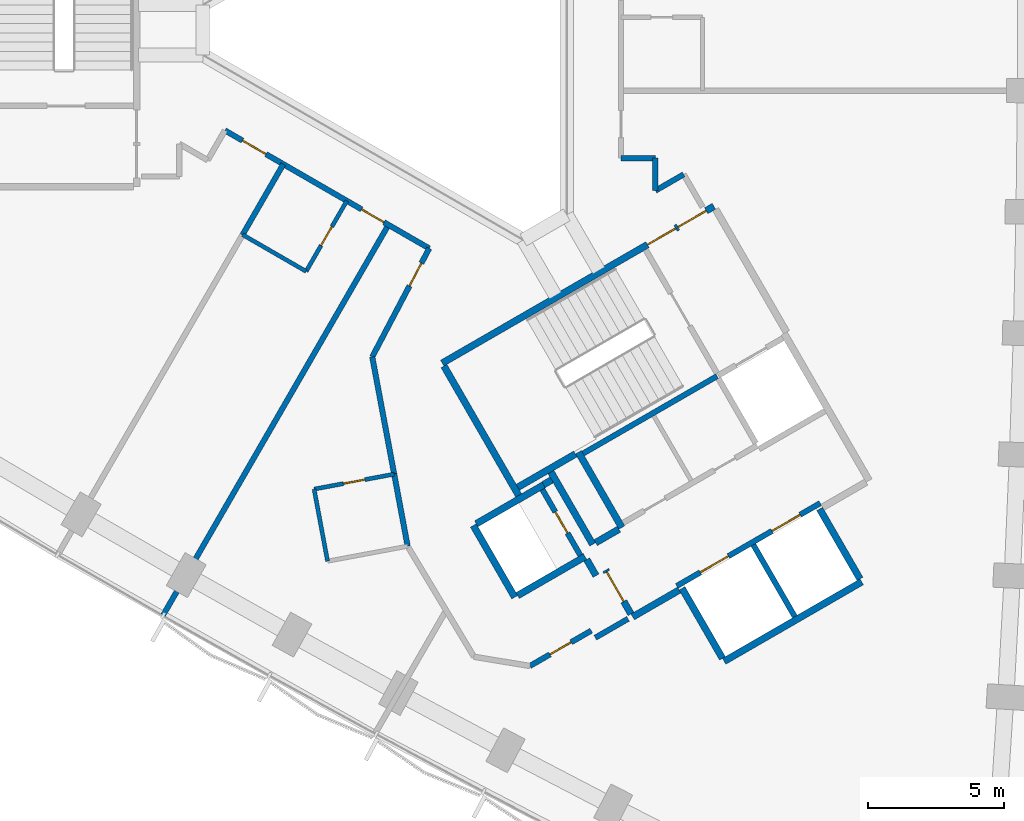
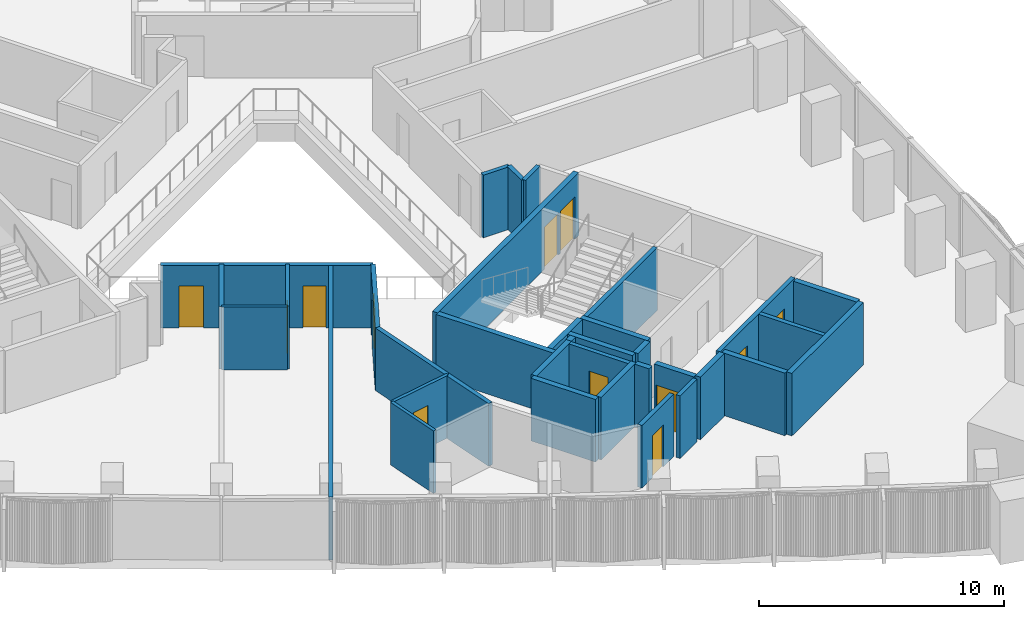
# One storey, part 8 of 15: 35 walls, 12 doors, 12 openings.
"""IFC4 building model written with IfcOpenShell, lengths in metres."""

import ifcopenshell
import ifcopenshell.guid

model = None  # the IFC model being written
_history = None  # IfcOwnerHistory: only IFC2X3 demands one
_inside = {}  # id of a spatial element -> (the spatial element, [elements in it])
_under = {}  # id of a project, library or spatial element -> (it, [spatial elements below it])
_declared = {}  # id of a project -> (the project, [libraries it declares])
_typed = {}  # id of a type object -> (the type object, [elements of that type])
_made_of = {}  # id of a material, layer set ... -> (it, [elements and type objects made of it])


def new_model(schema):
    """Start an empty IFC model of exactly this schema.

    Asked for "IFC4X3", IfcOpenShell would pick the latest addendum, in which some entities
    have other attributes; the version numbers below select the first issue.
    IFC2X3 requires an IfcOwnerHistory on every rooted entity: one is made here for all.
    """
    global model, _history
    if schema == "IFC4X3":
        model = ifcopenshell.file(schema_version=(4, 3, 0, 0))
    else:
        model = ifcopenshell.file(schema=schema)
    _inside.clear()
    _under.clear()
    _declared.clear()
    _typed.clear()
    _made_of.clear()
    _history = None
    if model.schema == "IFC2X3":
        org = make("IfcOrganization", Name="unknown")
        user = make(
            "IfcPersonAndOrganization",
            ThePerson=make("IfcPerson", FamilyName="unknown"),
            TheOrganization=org,
        )
        app = make(
            "IfcApplication",
            ApplicationDeveloper=org,
            Version="unknown",
            ApplicationFullName="unknown",
            ApplicationIdentifier="unknown",
        )
        _history = make(
            "IfcOwnerHistory",
            OwningUser=user,
            OwningApplication=app,
            ChangeAction="ADDED",
            CreationDate=0,
        )
    return model


def make(cls, **values):
    """One entity of the class cls with the attributes given. An attribute that is None is left unset."""
    return model.create_entity(
        cls, **{name: value for name, value in values.items() if value is not None}
    )


def rooted(cls, **values):
    """An entity with a GlobalId (a new one), such as an element, a storey or a relation."""
    return make(cls, GlobalId=ifcopenshell.guid.new(), OwnerHistory=_history, **values)


def si_unit(unit_type, name, prefix=None):
    """IfcSIUnit, for example si_unit("LENGTHUNIT", "METRE", prefix="MILLI")."""
    return make("IfcSIUnit", UnitType=unit_type, Prefix=prefix, Name=name)


def assignment(units):
    """IfcUnitAssignment: the units of a project."""
    return None if units is None else make("IfcUnitAssignment", Units=units)


def point(xyz):
    """IfcCartesianPoint."""
    return None if xyz is None else make("IfcCartesianPoint", Coordinates=xyz)


def direction(xyz):
    """IfcDirection."""
    return None if xyz is None else make("IfcDirection", DirectionRatios=xyz)


def frame(location, z_axis=None, x_axis=None):
    """IfcAxis2Placement3D, a coordinate frame: its origin and axes. An axis left out is left unset."""
    return make(
        "IfcAxis2Placement3D",
        Location=point(location),
        Axis=direction(z_axis),
        RefDirection=direction(x_axis),
    )


def frame_2d(location, x_axis=None):
    """IfcAxis2Placement2D, a coordinate frame in the plane: its origin and x axis."""
    return make(
        "IfcAxis2Placement2D", Location=point(location), RefDirection=direction(x_axis)
    )


def origin():
    """The frame at (0, 0, 0) with its axes left unset."""
    return frame((0.0, 0.0, 0.0))


def place(relative_to, where):
    """IfcLocalPlacement: puts the frame where relative to a parent placement (None: the world)."""
    return make(
        "IfcLocalPlacement", PlacementRelTo=relative_to, RelativePlacement=where
    )


def context(
    kind, dimensions, precision=None, world=None, true_north=None, identifier=None
):
    """IfcGeometricRepresentationContext, for example the 3D "Model" context."""
    return make(
        "IfcGeometricRepresentationContext",
        ContextIdentifier=identifier,
        ContextType=kind,
        CoordinateSpaceDimension=dimensions,
        Precision=precision,
        WorldCoordinateSystem=world,
        TrueNorth=true_north,
    )


def subcontext(parent, identifier, kind, view, scale=None):
    """IfcGeometricRepresentationSubContext, for example "Body" below "Model"."""
    return make(
        "IfcGeometricRepresentationSubContext",
        ContextIdentifier=identifier,
        ContextType=kind,
        ParentContext=parent,
        TargetScale=scale,
        TargetView=view,
    )


def project(units=None, contexts=None):
    """IfcProject with its units and contexts."""
    return rooted(
        "IfcProject",
        Name="project",
        RepresentationContexts=contexts,
        UnitsInContext=assignment(units),
    )


def spatial(cls, under=None, at=None, **own):
    """A site, building, storey or space (cls), placed at a placement, below another one or the project."""
    s = rooted(cls, ObjectPlacement=at, **own)
    if under is not None:
        _under.setdefault(under.id(), (under, []))[1].append(s)
    return s


def profile(cls, at=None, kind="AREA", **sizes):
    """A parametric profile (cls). Its sizes go by their IFC names, for example OverallWidth=200.0."""
    return make(cls, ProfileType=kind, Position=at, **sizes)


def rectangle(**sizes):
    """IfcRectangleProfileDef."""
    return profile("IfcRectangleProfileDef", **sizes)


def extrude(swept, where, along, depth):
    """IfcExtrudedAreaSolid: the profile swept, set in the frame where, extruded along a direction by depth."""
    return make(
        "IfcExtrudedAreaSolid",
        SweptArea=swept,
        Position=where,
        ExtrudedDirection=direction(along),
        Depth=depth,
    )


def shape(context_of_items, identifier, shape_type, items):
    """IfcShapeRepresentation: the items that make up one representation, for example the "Body"."""
    return make(
        "IfcShapeRepresentation",
        ContextOfItems=context_of_items,
        RepresentationIdentifier=identifier,
        RepresentationType=shape_type,
        Items=items,
    )


def material(Name=None, Category=None):
    """IfcMaterial."""
    return make("IfcMaterial", Name=Name, Category=Category)


def layer(
    of_material, thickness, ventilated=None, Name=None, Category=None, Priority=None
):
    """IfcMaterialLayer: one layer of a wall or slab, of a material (None: an air gap)."""
    return make(
        "IfcMaterialLayer",
        Material=of_material,
        LayerThickness=thickness,
        IsVentilated=ventilated,
        Name=Name,
        Category=Category,
        Priority=Priority,
    )


def layer_set(layers, Name=None):
    """IfcMaterialLayerSet."""
    return make("IfcMaterialLayerSet", MaterialLayers=layers, LayerSetName=Name)


def made_of(thing, what):
    """Note that an element or type object is made of a material, layer set ...; save() writes the relation."""
    if what is not None:
        _made_of.setdefault(what.id(), (what, []))[1].append(thing)
    return thing


def type_object(cls, material=None, **own):
    """A type object (cls), such as IfcWallType, which elements share."""
    return made_of(rooted(cls, **own), material)


def element(
    cls,
    number,
    at=None,
    inside=None,
    cuts=None,
    type_object=None,
    material=None,
    context=None,
    identifier="Body",
    shape_type=None,
    held_by="IfcProductDefinitionShape",
    body=None,
    shapes=None,
    **own,
):
    """One element of the class cls, such as IfcWall. Its Tag is "e" and its number.

    at: its placement. inside: the storey or other place that contains it. cuts: it is an
    opening in that element (IfcRelVoidsElement). A single representation is given by context,
    identifier, shape_type and body (its items); several are given by shapes. held_by: the class
    of the entity that holds the representations. save() writes the other relations.
    """
    e = rooted(cls, Tag="e%d" % number, ObjectPlacement=at, **own)
    if body is not None:
        shapes = [shape(context, identifier, shape_type, body)]
    if shapes is not None:
        e.Representation = make(held_by, Representations=shapes)
    if inside is not None:
        _inside.setdefault(inside.id(), (inside, []))[1].append(e)
    if cuts is not None:
        rooted(
            "IfcRelVoidsElement", RelatingBuildingElement=cuts, RelatedOpeningElement=e
        )
    if type_object is not None:
        _typed.setdefault(type_object.id(), (type_object, []))[1].append(e)
    return made_of(e, material)


def fill(opening, filler):
    """IfcRelFillsElement: the door or window that sits in an opening."""
    return rooted(
        "IfcRelFillsElement",
        RelatingOpeningElement=opening,
        RelatedBuildingElement=filler,
    )


def aggregate(whole, parts):
    """IfcRelAggregates: a whole, such as a stair, and the parts it consists of."""
    return rooted("IfcRelAggregates", RelatingObject=whole, RelatedObjects=parts)


def save(model, path):
    """Write the relations noted so far, then the file.

    IfcRelAggregates (storeys below a building ...), IfcRelContainedInSpatialStructure (elements
    in a storey), IfcRelDefinesByType, IfcRelAssociatesMaterial and IfcRelDeclares: one each for
    every whole, place, type object, material and project.
    """
    for whole, parts in _under.values():
        aggregate(whole, parts)
    for where, things in _inside.values():
        rooted(
            "IfcRelContainedInSpatialStructure",
            RelatedElements=things,
            RelatingStructure=where,
        )
    for kind, things in _typed.values():
        rooted("IfcRelDefinesByType", RelatedObjects=things, RelatingType=kind)
    for what, things in _made_of.values():
        rooted("IfcRelAssociatesMaterial", RelatedObjects=things, RelatingMaterial=what)
    for by, libraries in _declared.values():
        rooted("IfcRelDeclares", RelatingContext=by, RelatedDefinitions=libraries)
    model.write(path)


model = new_model("IFC4")

# Units and contexts
model_context = context("Model", 3, precision=1e-05, world=origin(), true_north=direction((0.0, 1.0)))
body_context = subcontext(model_context, "Body", "Model", "MODEL_VIEW")
ifc_project = project(units=[si_unit("LENGTHUNIT", "METRE"), si_unit("AREAUNIT", "SQUARE_METRE"), si_unit("VOLUMEUNIT", "CUBIC_METRE"), si_unit("PLANEANGLEUNIT", "RADIAN"), si_unit("MASSUNIT", "GRAM", prefix="KILO")], contexts=[model_context])

# Site, building, storey
site_placement = place(None, origin())
site = spatial("IfcSite", under=ifc_project, at=site_placement, CompositionType="ELEMENT")
building_placement = place(site_placement, origin())
building = spatial("IfcBuilding", under=site, at=building_placement, Name="Tamra Quay Hotel Tower", CompositionType="ELEMENT")
storey_placement = place(building_placement, frame((0.0, 0.0, 42.199951171875)))
storey = spatial("IfcBuildingStorey", under=building, at=storey_placement, Name="L08", CompositionType="ELEMENT", Elevation=42.199951171875)

# Wall, openings, doors
ifc_material_1 = material(Name="Concrete M70", Category="concrete")
ifc_layer_1 = layer(ifc_material_1, 0.199951171875)
ifc_layer_set_1 = layer_set([ifc_layer_1], Name="Concrete M70 core wall 200")
wall_type_1 = type_object("IfcWallType", Name="Concrete M70 core wall 200", PredefinedType="SHEAR", material=ifc_layer_set_1)
wall_1_placement = place(storey_placement, frame((9.052490234375, -20.479736328125, 0.0), z_axis=(0.0, 0.0, 1.0), x_axis=(0.866030299012, 0.499991521122, 0.0)))
wall_1 = element("IfcWall", 1, at=wall_1_placement, inside=storey, type_object=wall_type_1, Name="CW2", PredefinedType="SHEAR", context=body_context, shape_type="SweptSolid", body=[
    extrude(rectangle(XDim=6.10009765625, YDim=0.199951171875, at=frame_2d((3.050048828125, 0.0))), origin(), (0.0, 0.0, 1.0), 3.125),
])
opening_1_placement = place(wall_1_placement, frame((1.0, 0.0, 0.0)))
opening_1 = element("IfcOpeningElement", 2, at=opening_1_placement, cuts=wall_1, Name="Opening LD", PredefinedType="OPENING", context=body_context, shape_type="SweptSolid", body=[
    extrude(rectangle(XDim=1.199951171875, YDim=2.10009765625, at=frame_2d((0.60009765625, 1.050048828125))), frame((0.0, 0.10986328125, 0.0), z_axis=(0.0, -1.0, 0.0), x_axis=(1.0, 0.0, 0.0)), (0.0, 0.0, 1.0), 0.219970703125),
])
opening_2_placement = place(wall_1_placement, frame((4.05029296875, 0.0, 0.0)))
opening_2 = element("IfcOpeningElement", 3, at=opening_2_placement, cuts=wall_1, Name="Opening LD", PredefinedType="OPENING", context=body_context, shape_type="SweptSolid", body=[
    extrude(rectangle(XDim=1.199951171875, YDim=2.10009765625, at=frame_2d((0.60009765625, 1.050048828125))), frame((0.0, 0.10986328125, 0.0), z_axis=(0.0, -1.0, 0.0), x_axis=(1.0, 0.0, 0.0)), (0.0, 0.0, 1.0), 0.219970703125),
])
ifc_material_2 = material(Name="Landing door LD 1200 double door sliding")
door_type_1 = type_object("IfcDoorType", Name="Landing door LD 1200 double door sliding", OperationType="DOUBLE_DOOR_SLIDING", PredefinedType="DOOR", material=ifc_material_2)
door_1_placement = place(opening_1_placement, origin())
door_1 = element("IfcDoor", 4, at=door_1_placement, inside=storey, type_object=door_type_1, Name="LD", OperationType="DOUBLE_DOOR_SLIDING", OverallHeight=2.10009765625, OverallWidth=1.199951171875, PredefinedType="DOOR", context=body_context, shape_type="SweptSolid", body=[
    extrude(rectangle(XDim=1.199951171875, YDim=2.10009765625, at=frame_2d((0.60009765625, 1.050048828125))), frame((0.0, 0.02490234375, 0.0), z_axis=(0.0, -1.0, 0.0), x_axis=(1.0, 0.0, 0.0)), (0.0, 0.0, 1.0), 0.050048828125),
])
fill(opening_1, door_1)
door_2_placement = place(opening_2_placement, origin())
door_2 = element("IfcDoor", 5, at=door_2_placement, inside=storey, type_object=door_type_1, Name="LD", OperationType="DOUBLE_DOOR_SLIDING", OverallHeight=2.10009765625, OverallWidth=1.199951171875, PredefinedType="DOOR", context=body_context, shape_type="SweptSolid", body=[
    extrude(rectangle(XDim=1.199951171875, YDim=2.10009765625, at=frame_2d((0.60009765625, 1.050048828125))), frame((0.0, 0.02490234375, 0.0), z_axis=(0.0, -1.0, 0.0), x_axis=(1.0, 0.0, 0.0)), (0.0, 0.0, 1.0), 0.050048828125),
])
fill(opening_2, door_2)

# Walls
wall_2_placement = place(storey_placement, frame((10.537841796875, -12.751953125, 0.0), z_axis=(0.0, 0.0, 1.0), x_axis=(-0.866038630372, -0.499977090179, 0.0)))
element("IfcWall", 6, at=wall_2_placement, inside=storey, type_object=wall_type_1, Name="CW2", PredefinedType="SHEAR", context=body_context, shape_type="SweptSolid", body=[
    extrude(rectangle(XDim=5.698974609375, YDim=0.199951171875, at=frame_2d((2.849609375, 0.0))), origin(), (0.0, 0.0, 1.0), 3.125),
])
wall_3_placement = place(storey_placement, frame((11.87451171875, -18.967041015625, 0.0), z_axis=(0.0, 0.0, 1.0), x_axis=(0.49998131003, -0.866036194175, 0.0)))
element("IfcWall", 7, at=wall_3_placement, inside=storey, type_object=wall_type_1, Name="CW2", PredefinedType="SHEAR", context=body_context, shape_type="SweptSolid", body=[
    extrude(rectangle(XDim=3.0478515625, YDim=0.199951171875, at=frame_2d((1.52392578125, 0.0))), origin(), (0.0, 0.0, 1.0), 3.125),
])

# Wall, opening, door
wall_4_placement = place(storey_placement, frame((5.50341796875, -19.352294921875, 0.0), z_axis=(0.0, 0.0, 1.0), x_axis=(-0.499986818241, 0.866033014143, 0.0)))
wall_4 = element("IfcWall", 8, at=wall_4_placement, inside=storey, type_object=wall_type_1, Name="CW2", PredefinedType="SHEAR", context=body_context, shape_type="SweptSolid", body=[
    extrude(rectangle(XDim=2.7978515625, YDim=0.199951171875, at=frame_2d((1.39892578125, 0.0))), origin(), (0.0, 0.0, 1.0), 3.125),
])
opening_3_placement = place(wall_4_placement, frame((0.948974609375, 0.0, 0.0)))
opening_3 = element("IfcOpeningElement", 9, at=opening_3_placement, cuts=wall_4, Name="Opening D1", PredefinedType="OPENING", context=body_context, shape_type="SweptSolid", body=[
    extrude(rectangle(XDim=0.89990234375, YDim=2.10009765625, at=frame_2d((0.449951171875, 1.050048828125))), frame((0.0, 0.10986328125, 0.0), z_axis=(0.0, -1.0, 0.0), x_axis=(1.0, 0.0, 0.0)), (0.0, 0.0, 1.0), 0.219970703125),
])
ifc_material_3 = material(Name="Core door D1 900x2100 LH")
door_type_2 = type_object("IfcDoorType", Name="Core door D1 900x2100 LH", OperationType="NOTDEFINED", PredefinedType="DOOR", material=ifc_material_3)
door_3_placement = place(opening_3_placement, origin())
door_3 = element("IfcDoor", 10, at=door_3_placement, inside=storey, type_object=door_type_2, Name="D1", OperationType="SINGLE_SWING_LEFT", OverallHeight=2.10009765625, OverallWidth=0.89990234375, PredefinedType="DOOR", context=body_context, shape_type="SweptSolid", body=[
    extrude(rectangle(XDim=0.89990234375, YDim=2.10009765625, at=frame_2d((0.449951171875, 1.050048828125))), frame((0.0, 0.02490234375, 0.0), z_axis=(0.0, -1.0, 0.0), x_axis=(1.0, 0.0, 0.0)), (0.0, 0.0, 1.0), 0.050048828125),
])
fill(opening_3, door_3)

# Wall, openings, doors
ifc_layer_2 = layer(ifc_material_1, 0.25)
ifc_layer_set_2 = layer_set([ifc_layer_2], Name="Concrete M70 core wall 250")
wall_type_2 = type_object("IfcWallType", Name="Concrete M70 core wall 250", PredefinedType="SHEAR", material=ifc_layer_set_2)
wall_5_placement = place(storey_placement, frame((0.417236328125, -12.27294921875, 0.0), z_axis=(0.0, 0.0, 1.0), x_axis=(0.866021906294, 0.500006057782, 0.0)))
wall_5 = element("IfcWall", 11, at=wall_5_placement, inside=storey, type_object=wall_type_2, Name="CW1", PredefinedType="SHEAR", context=body_context, shape_type="SweptSolid", body=[
    extrude(rectangle(XDim=11.550048828125, YDim=0.25, at=frame_2d((5.77490234375, 0.0))), origin(), (0.0, 0.0, 1.0), 3.125),
])
opening_4_placement = place(wall_5_placement, frame((10.024658203125, 0.0, 0.0)))
opening_4 = element("IfcOpeningElement", 12, at=opening_4_placement, cuts=wall_5, Name="Opening FD1", PredefinedType="OPENING", context=body_context, shape_type="SweptSolid", body=[
    extrude(rectangle(XDim=1.199951171875, YDim=2.10009765625, at=frame_2d((0.60009765625, 1.050048828125))), frame((0.0, 0.135009765625, 0.0), z_axis=(0.0, -1.0, 0.0), x_axis=(1.0, 0.0, 0.0)), (0.0, 0.0, 1.0), 0.27001953125),
])
opening_5_placement = place(wall_5_placement, frame((8.724609375, 0.0, 0.0)))
opening_5 = element("IfcOpeningElement", 13, at=opening_5_placement, cuts=wall_5, Name="Opening FD1", PredefinedType="OPENING", context=body_context, shape_type="SweptSolid", body=[
    extrude(rectangle(XDim=1.199951171875, YDim=2.10009765625, at=frame_2d((0.60009765625, 1.050048828125))), frame((0.0, 0.135009765625, 0.0), z_axis=(0.0, -1.0, 0.0), x_axis=(1.0, 0.0, 0.0)), (0.0, 0.0, 1.0), 0.27001953125),
])
ifc_material_4 = material(Name="Core door FD1 1200x2100 LH")
door_type_3 = type_object("IfcDoorType", Name="Core door FD1 1200x2100 LH", OperationType="NOTDEFINED", PredefinedType="DOOR", material=ifc_material_4)
door_4_placement = place(opening_4_placement, origin())
door_4 = element("IfcDoor", 14, at=door_4_placement, inside=storey, type_object=door_type_3, Name="FD1", OperationType="SINGLE_SWING_LEFT", OverallHeight=2.10009765625, OverallWidth=1.199951171875, PredefinedType="DOOR", context=body_context, shape_type="SweptSolid", body=[
    extrude(rectangle(XDim=1.199951171875, YDim=2.10009765625, at=frame_2d((0.60009765625, 1.050048828125))), frame((0.0, 0.02490234375, 0.0), z_axis=(0.0, -1.0, 0.0), x_axis=(1.0, 0.0, 0.0)), (0.0, 0.0, 1.0), 0.050048828125),
])
fill(opening_4, door_4)
ifc_material_5 = material(Name="Core door FD1 1200x2100 RH")
door_type_4 = type_object("IfcDoorType", Name="Core door FD1 1200x2100 RH", OperationType="NOTDEFINED", PredefinedType="DOOR", material=ifc_material_5)
door_5_placement = place(opening_5_placement, origin())
door_5 = element("IfcDoor", 15, at=door_5_placement, inside=storey, type_object=door_type_4, Name="FD1", OperationType="SINGLE_SWING_RIGHT", OverallHeight=2.10009765625, OverallWidth=1.199951171875, PredefinedType="DOOR", context=body_context, shape_type="SweptSolid", body=[
    extrude(rectangle(XDim=1.199951171875, YDim=2.10009765625, at=frame_2d((0.60009765625, 1.050048828125))), frame((0.0, 0.02490234375, 0.0), z_axis=(0.0, -1.0, 0.0), x_axis=(1.0, 0.0, 0.0)), (0.0, 0.0, 1.0), 0.050048828125),
])
fill(opening_5, door_5)

# Walls
wall_6_placement = place(storey_placement, frame((15.86474609375, -20.328369140625, 0.0), z_axis=(0.0, 0.0, 1.0), x_axis=(-0.86602852612, -0.499994591916, 0.0)))
element("IfcWall", 16, at=wall_6_placement, inside=storey, type_object=wall_type_2, Name="CW1", PredefinedType="SHEAR", context=body_context, shape_type="SweptSolid", body=[
    extrude(rectangle(XDim=5.85009765625, YDim=0.25, at=frame_2d((2.925048828125, 0.0))), origin(), (0.0, 0.0, 1.0), 3.125),
])
wall_7_placement = place(storey_placement, frame((3.23486328125, -17.15283203125, 0.0), z_axis=(0.0, 0.0, 1.0), x_axis=(-0.500008851346, 0.866020293397, 0.0)))
element("IfcWall", 17, at=wall_7_placement, inside=storey, type_object=wall_type_2, Name="CW1", PredefinedType="SHEAR", context=body_context, shape_type="SweptSolid", body=[
    extrude(rectangle(XDim=5.509765625, YDim=0.25, at=frame_2d((2.7548828125, 0.0))), origin(), (0.0, 0.0, 1.0), 3.125),
])
wall_8_placement = place(storey_placement, frame((7.030517578125, -18.327392578125, 0.0), z_axis=(0.0, 0.0, 1.0), x_axis=(-0.499971222258, 0.866042017984, 0.0)))
element("IfcWall", 18, at=wall_8_placement, inside=storey, type_object=wall_type_2, Name="CW1", PredefinedType="SHEAR", context=body_context, shape_type="SweptSolid", body=[
    extrude(rectangle(XDim=3.199951171875, YDim=0.25, at=frame_2d((1.60009765625, 0.0))), origin(), (0.0, 0.0, 1.0), 3.125),
])
for number, where, z_axis, x_axis, name in (
    (19, (14.314697265625, -17.643798828125, 0.0), (0.0, 0.0, 1.0), (0.500023226632, -0.866011993467, 0.0), "CW1"),
    (20, (10.73583984375, -23.144775390625, 0.0), (0.0, 0.0, 1.0), (-0.500023226632, 0.866011993467, 0.0), "CW1"),
):
    element("IfcWall", number, at=place(storey_placement, frame(where, z_axis=z_axis, x_axis=x_axis)), inside=storey, type_object=wall_type_2, Name=name, PredefinedType="SHEAR", context=body_context, shape_type="SweptSolid", body=[
        extrude(rectangle(XDim=2.974365234375, YDim=0.25, at=frame_2d((1.4873046875, 0.0))), origin(), (0.0, 0.0, 1.0), 3.125),
    ])
wall_9_placement = place(storey_placement, frame((3.085205078125, -20.893798828125, 0.0), z_axis=(0.0, 0.0, 1.0), x_axis=(-0.499978833458, 0.866037623948, 0.0)))
element("IfcWall", 21, at=wall_9_placement, inside=storey, type_object=wall_type_2, Name="CW1", PredefinedType="SHEAR", context=body_context, shape_type="SweptSolid", body=[
    extrude(rectangle(XDim=3.050048828125, YDim=0.25, at=frame_2d((1.52490234375, 0.0))), origin(), (0.0, 0.0, 1.0), 3.125),
])
wall_10_placement = place(storey_placement, frame((1.6689453125, -18.189697265625, 0.0), z_axis=(0.0, 0.0, 1.0), x_axis=(0.866042235819, 0.499970844928, 0.0)))
element("IfcWall", 22, at=wall_10_placement, inside=storey, type_object=wall_type_2, Name="CW1", PredefinedType="SHEAR", context=body_context, shape_type="SweptSolid", body=[
    extrude(rectangle(XDim=2.864501953125, YDim=0.25, at=frame_2d((1.43212890625, 0.0))), origin(), (0.0, 0.0, 1.0), 3.125),
])
wall_11_placement = place(storey_placement, frame((5.6748046875, -19.39892578125, 0.0), z_axis=(0.0, 0.0, 1.0), x_axis=(-0.866026637627, -0.499997862916, 0.0)))
element("IfcWall", 23, at=wall_11_placement, inside=storey, type_object=wall_type_2, Name="CW1", PredefinedType="SHEAR", context=body_context, shape_type="SweptSolid", body=[
    extrude(rectangle(XDim=2.86474609375, YDim=0.25, at=frame_2d((1.432373046875, 0.0))), origin(), (0.0, 0.0, 1.0), 3.125),
])
wall_12_placement = place(storey_placement, frame((4.414306640625, -16.275634765625, 0.0), z_axis=(0.0, 0.0, 1.0), x_axis=(0.500003324108, -0.866023484601, 0.0)))
element("IfcWall", 24, at=wall_12_placement, inside=storey, type_object=wall_type_2, Name="CW1", PredefinedType="SHEAR", context=body_context, shape_type="SweptSolid", body=[
    extrude(rectangle(XDim=3.0849609375, YDim=0.25, at=frame_2d((1.54248046875, 0.0))), origin(), (0.0, 0.0, 1.0), 3.125),
])
wall_13_placement = place(storey_placement, frame((5.322021484375, -15.618896484375, 0.0), z_axis=(0.0, 0.0, 1.0), x_axis=(-0.866026229868, -0.499998569178, 0.0)))
element("IfcWall", 25, at=wall_13_placement, inside=storey, type_object=wall_type_2, Name="CW1", PredefinedType="SHEAR", context=body_context, shape_type="SweptSolid", body=[
    extrude(rectangle(XDim=2.44921875, YDim=0.25, at=frame_2d((1.224609375, 0.0))), origin(), (0.0, 0.0, 1.0), 3.125),
])
wall_14_placement = place(storey_placement, frame((9.139892578125, -20.63134765625, 0.0), z_axis=(0.0, 0.0, 1.0), x_axis=(-0.866043531843, -0.499968599967, 0.0)))
element("IfcWall", 26, at=wall_14_placement, inside=storey, type_object=wall_type_2, Name="CW1", PredefinedType="SHEAR", context=body_context, shape_type="SweptSolid", body=[
    extrude(rectangle(XDim=1.974853515625, YDim=0.25, at=frame_2d((0.9873046875, 0.0))), origin(), (0.0, 0.0, 1.0), 3.125),
])

# Wall, opening, door
wall_15_placement = place(storey_placement, frame((7.3671875, -21.51025390625, 0.0), z_axis=(0.0, 0.0, 1.0), x_axis=(-0.499983108224, 0.866035156036, 0.0)))
wall_15 = element("IfcWall", 27, at=wall_15_placement, inside=storey, type_object=wall_type_2, Name="CW1", PredefinedType="SHEAR", context=body_context, shape_type="SweptSolid", body=[
    extrude(rectangle(XDim=1.86474609375, YDim=0.25, at=frame_2d((0.932373046875, 0.0))), origin(), (0.0, 0.0, 1.0), 3.125),
])
opening_6_placement = place(wall_15_placement, frame((0.53466796875, 0.0, 0.0)))
opening_6 = element("IfcOpeningElement", 28, at=opening_6_placement, cuts=wall_15, Name="Opening FD3", PredefinedType="OPENING", context=body_context, shape_type="SweptSolid", body=[
    extrude(rectangle(XDim=1.25, YDim=2.10009765625, at=frame_2d((0.625, 1.050048828125))), frame((0.0, 0.135009765625, 0.0), z_axis=(0.0, -1.0, 0.0), x_axis=(1.0, 0.0, 0.0)), (0.0, 0.0, 1.0), 0.27001953125),
])
ifc_material_6 = material(Name="Core door FD3 1250x2100 LH")
door_type_5 = type_object("IfcDoorType", Name="Core door FD3 1250x2100 LH", OperationType="NOTDEFINED", PredefinedType="DOOR", material=ifc_material_6)
door_6_placement = place(opening_6_placement, origin())
door_6 = element("IfcDoor", 29, at=door_6_placement, inside=storey, type_object=door_type_5, Name="FD3", OperationType="SINGLE_SWING_LEFT", OverallHeight=2.10009765625, OverallWidth=1.25, PredefinedType="DOOR", context=body_context, shape_type="SweptSolid", body=[
    extrude(rectangle(XDim=1.25, YDim=2.10009765625, at=frame_2d((0.625, 1.050048828125))), frame((0.0, 0.02490234375, 0.0), z_axis=(0.0, -1.0, 0.0), x_axis=(1.0, 0.0, 0.0)), (0.0, 0.0, 1.0), 0.050048828125),
])
fill(opening_6, door_6)

# Walls
wall_16_placement = place(storey_placement, frame((6.0654296875, -18.884765625, 0.0), z_axis=(0.0, 0.0, 1.0), x_axis=(0.866017078145, 0.500014420154, 0.0)))
element("IfcWall", 30, at=wall_16_placement, inside=storey, type_object=wall_type_2, Name="CW1", PredefinedType="SHEAR", context=body_context, shape_type="SweptSolid", body=[
    extrude(rectangle(XDim=0.9892578125, YDim=0.25, at=frame_2d((0.49462890625, 0.0))), origin(), (0.0, 0.0, 1.0), 3.125),
])
wall_17_placement = place(storey_placement, frame((6.07958984375, -20.100341796875, 0.0), z_axis=(0.0, 0.0, 1.0), x_axis=(-0.500051773299, 0.865995510393, 0.0)))
element("IfcWall", 31, at=wall_17_placement, inside=storey, type_object=wall_type_2, Name="CW1", PredefinedType="SHEAR", context=body_context, shape_type="SweptSolid", body=[
    extrude(rectangle(XDim=0.6845703125, YDim=0.25, at=frame_2d((0.34228515625, 0.0))), origin(), (0.0, 0.0, 1.0), 3.125),
])
wall_18_placement = place(storey_placement, frame((4.144775390625, -16.748779296875, 0.0), z_axis=(0.0, 0.0, 1.0), x_axis=(0.866185586049, 0.49972245349, 0.0)))
element("IfcWall", 32, at=wall_18_placement, inside=storey, type_object=wall_type_2, Name="CW1", PredefinedType="SHEAR", context=body_context, shape_type="SweptSolid", body=[
    extrude(rectangle(XDim=0.344482421875, YDim=0.25, at=frame_2d((0.17236328125, 0.0))), origin(), (0.0, 0.0, 1.0), 3.125),
])

# Wall, openings, doors
ifc_material_7 = material(Name="Partition corridor wall")
ifc_layer_3 = layer(ifc_material_7, 0.199951171875)
ifc_layer_set_3 = layer_set([ifc_layer_3], Name="Partition corridor wall")
wall_type_3 = type_object("IfcWallType", Name="Partition corridor wall", PredefinedType="PARTITIONING", material=ifc_layer_set_3)
wall_19_placement = place(storey_placement, frame((-7.589111328125, -3.701904296875, 0.0), z_axis=(0.0, 0.0, 1.0), x_axis=(0.865995139556, -0.500052415518, 0.0)))
wall_19 = element("IfcWall", 33, at=wall_19_placement, inside=storey, type_object=wall_type_3, Name="W-C", PredefinedType="PARTITIONING", context=body_context, shape_type="SweptSolid", body=[
    extrude(rectangle(XDim=8.68896484375, YDim=0.199951171875, at=frame_2d((4.344482421875, 0.0))), origin(), (0.0, 0.0, 1.0), 3.125),
])
opening_7_placement = place(wall_19_placement, frame((0.748779296875, 0.0, 0.0)))
opening_7 = element("IfcOpeningElement", 34, at=opening_7_placement, cuts=wall_19, Name="Opening L08-D014", PredefinedType="OPENING", context=body_context, shape_type="SweptSolid", body=[
    extrude(rectangle(XDim=1.0, YDim=2.10009765625, at=frame_2d((0.5, 1.050048828125))), frame((0.0, 0.10986328125, 0.0), z_axis=(0.0, -1.0, 0.0), x_axis=(1.0, 0.0, 0.0)), (0.0, 0.0, 1.0), 0.219970703125),
])
opening_8_placement = place(wall_19_placement, frame((5.818603515625, 0.0, 0.0)))
opening_8 = element("IfcOpeningElement", 35, at=opening_8_placement, cuts=wall_19, Name="Opening L08-D015", PredefinedType="OPENING", context=body_context, shape_type="SweptSolid", body=[
    extrude(rectangle(XDim=0.949951171875, YDim=2.10009765625, at=frame_2d((0.47509765625, 1.050048828125))), frame((0.0, 0.10986328125, 0.0), z_axis=(0.0, -1.0, 0.0), x_axis=(1.0, 0.0, 0.0)), (0.0, 0.0, 1.0), 0.219970703125),
])
ifc_material_8 = material(Name="Door guest room 1000x2100")
door_type_6 = type_object("IfcDoorType", Name="Door guest room 1000x2100", OperationType="NOTDEFINED", PredefinedType="DOOR", material=ifc_material_8)
door_7_placement = place(opening_7_placement, frame((1.0, 0.0, 0.0), z_axis=(0.0, 0.0, 1.0), x_axis=(-1.0, 0.0, 0.0)))
door_7 = element("IfcDoor", 36, at=door_7_placement, inside=storey, type_object=door_type_6, Name="L08-D014", OperationType="SINGLE_SWING_LEFT", OverallHeight=2.10009765625, OverallWidth=1.0, PredefinedType="DOOR", context=body_context, shape_type="SweptSolid", body=[
    extrude(rectangle(XDim=1.0, YDim=2.10009765625, at=frame_2d((0.5, 1.050048828125))), frame((0.0, 0.02490234375, 0.0), z_axis=(0.0, -1.0, 0.0), x_axis=(1.0, 0.0, 0.0)), (0.0, 0.0, 1.0), 0.050048828125),
])
fill(opening_7, door_7)
ifc_material_9 = material(Name="Door guest room 950x2100")
door_type_7 = type_object("IfcDoorType", Name="Door guest room 950x2100", OperationType="NOTDEFINED", PredefinedType="DOOR", material=ifc_material_9)
door_8_placement = place(opening_8_placement, frame((0.949951171875, 0.0, 0.0), z_axis=(0.0, 0.0, 1.0), x_axis=(-1.0, 0.0, 0.0)))
door_8 = element("IfcDoor", 37, at=door_8_placement, inside=storey, type_object=door_type_7, Name="L08-D015", OperationType="SINGLE_SWING_LEFT", OverallHeight=2.10009765625, OverallWidth=0.949951171875, PredefinedType="DOOR", context=body_context, shape_type="SweptSolid", body=[
    extrude(rectangle(XDim=0.949951171875, YDim=2.10009765625, at=frame_2d((0.47509765625, 1.050048828125))), frame((0.0, 0.02490234375, 0.0), z_axis=(0.0, -1.0, 0.0), x_axis=(1.0, 0.0, 0.0)), (0.0, 0.0, 1.0), 0.050048828125),
])
fill(opening_8, door_8)

# Wall
wall_20_placement = place(storey_placement, frame((-2.162109375, -12.0419921875, 0.0), z_axis=(0.0, 0.0, 1.0), x_axis=(0.183846917521, -0.982954887529, 0.0)))
element("IfcWall", 38, at=wall_20_placement, inside=storey, type_object=wall_type_3, Name="W-C", PredefinedType="PARTITIONING", context=body_context, shape_type="SweptSolid", body=[
    extrude(rectangle(XDim=4.40625, YDim=0.199951171875, at=frame_2d((2.203125, 0.0))), origin(), (0.0, 0.0, 1.0), 3.125),
])

# Wall, opening, door
wall_21_placement = place(storey_placement, frame((-2.162109375, -12.041015625, 0.0), z_axis=(0.0, 0.0, 1.0), x_axis=(0.464956890881, 0.885333321197, 0.0)))
wall_21 = element("IfcWall", 39, at=wall_21_placement, inside=storey, type_object=wall_type_3, Name="W-C", PredefinedType="PARTITIONING", context=body_context, shape_type="SweptSolid", body=[
    extrude(rectangle(XDim=4.512451171875, YDim=0.199951171875, at=frame_2d((2.25634765625, 0.0))), origin(), (0.0, 0.0, 1.0), 3.125),
])
opening_9_placement = place(wall_21_placement, frame((2.949951171875, 0.0, 0.0)))
opening_9 = element("IfcOpeningElement", 40, at=opening_9_placement, cuts=wall_21, Name="Opening L08-D017", PredefinedType="OPENING", context=body_context, shape_type="SweptSolid", body=[
    extrude(rectangle(XDim=0.949951171875, YDim=2.10009765625, at=frame_2d((0.47509765625, 1.050048828125))), frame((0.0, 0.10986328125, 0.0), z_axis=(0.0, -1.0, 0.0), x_axis=(1.0, 0.0, 0.0)), (0.0, 0.0, 1.0), 0.219970703125),
])
door_9_placement = place(opening_9_placement, origin())
door_9 = element("IfcDoor", 41, at=door_9_placement, inside=storey, type_object=door_type_7, Name="L08-D017", OperationType="SINGLE_SWING_LEFT", OverallHeight=2.10009765625, OverallWidth=0.949951171875, PredefinedType="DOOR", context=body_context, shape_type="SweptSolid", body=[
    extrude(rectangle(XDim=0.949951171875, YDim=2.10009765625, at=frame_2d((0.47509765625, 1.050048828125))), frame((0.0, 0.02490234375, 0.0), z_axis=(0.0, -1.0, 0.0), x_axis=(1.0, 0.0, 0.0)), (0.0, 0.0, 1.0), 0.050048828125),
])
fill(opening_9, door_9)

# Wall
wall_22_placement = place(storey_placement, frame((-1.35595703125, -16.34912109375, 0.0), z_axis=(0.0, 0.0, 1.0), x_axis=(0.183652540949, -0.982991222852, 0.0)))
element("IfcWall", 42, at=wall_22_placement, inside=storey, type_object=wall_type_3, Name="W-C", PredefinedType="PARTITIONING", context=body_context, shape_type="SweptSolid", body=[
    extrude(rectangle(XDim=2.7119140625, YDim=0.199951171875, at=frame_2d((1.35595703125, 0.0))), origin(), (0.0, 0.0, 1.0), 3.125),
])

# Wall, opening, door
wall_23_placement = place(storey_placement, frame((3.64306640625, -23.426025390625, 0.0), z_axis=(0.0, 0.0, 1.0), x_axis=(0.866654350985, 0.498909045738, 0.0)))
wall_23 = element("IfcWall", 43, at=wall_23_placement, inside=storey, type_object=wall_type_3, Name="W-C", PredefinedType="PARTITIONING", context=body_context, shape_type="SweptSolid", body=[
    extrude(rectangle(XDim=2.607666015625, YDim=0.199951171875, at=frame_2d((1.3037109375, 0.0))), origin(), (0.0, 0.0, 1.0), 3.125),
])
opening_10_placement = place(wall_23_placement, frame((0.85400390625, 0.0, 0.0)))
opening_10 = element("IfcOpeningElement", 44, at=opening_10_placement, cuts=wall_23, Name="Opening L08-D019", PredefinedType="OPENING", context=body_context, shape_type="SweptSolid", body=[
    extrude(rectangle(XDim=0.89990234375, YDim=2.10009765625, at=frame_2d((0.449951171875, 1.050048828125))), frame((0.0, 0.10986328125, 0.0), z_axis=(0.0, -1.0, 0.0), x_axis=(1.0, 0.0, 0.0)), (0.0, 0.0, 1.0), 0.219970703125),
])
ifc_material_10 = material(Name="Door service room 900x2100")
door_type_8 = type_object("IfcDoorType", Name="Door service room 900x2100", OperationType="NOTDEFINED", PredefinedType="DOOR", material=ifc_material_10)
door_10_placement = place(opening_10_placement, frame((0.89990234375, 0.0, 0.0), z_axis=(0.0, 0.0, 1.0), x_axis=(-1.0, 0.0, 0.0)))
door_10 = element("IfcDoor", 45, at=door_10_placement, inside=storey, type_object=door_type_8, Name="L08-D019", OperationType="SINGLE_SWING_LEFT", OverallHeight=2.10009765625, OverallWidth=0.89990234375, PredefinedType="DOOR", context=body_context, shape_type="SweptSolid", body=[
    extrude(rectangle(XDim=0.89990234375, YDim=2.10009765625, at=frame_2d((0.449951171875, 1.050048828125))), frame((0.0, 0.02490234375, 0.0), z_axis=(0.0, -1.0, 0.0), x_axis=(1.0, 0.0, 0.0)), (0.0, 0.0, 1.0), 0.050048828125),
])
fill(opening_10, door_10)

# Walls
wall_24_placement = place(storey_placement, frame((6.053955078125, -22.385009765625, 0.0), z_axis=(0.0, 0.0, 1.0), x_axis=(0.86593101922, 0.500163443238, 0.0)))
element("IfcWall", 46, at=wall_24_placement, inside=storey, type_object=wall_type_3, Name="W-C", PredefinedType="PARTITIONING", context=body_context, shape_type="SweptSolid", body=[
    extrude(rectangle(XDim=1.3896484375, YDim=0.199951171875, at=frame_2d((0.69482421875, 0.0))), origin(), (0.0, 0.0, 1.0), 3.125),
])
wall_25_placement = place(storey_placement, frame((7.0, -4.720947265625, 0.0), z_axis=(0.0, 0.0, 1.0), x_axis=(1.0, 0.0, 0.0)))
element("IfcWall", 47, at=wall_25_placement, inside=storey, type_object=wall_type_3, Name="W-C", PredefinedType="PARTITIONING", context=body_context, shape_type="SweptSolid", body=[
    extrude(rectangle(XDim=1.26806640625, YDim=0.199951171875, at=frame_2d((0.634033203125, 0.0))), origin(), (0.0, 0.0, 1.0), 3.125),
])
wall_26_placement = place(storey_placement, frame((8.26806640625, -5.9208984375, 0.0), z_axis=(0.0, 0.0, 1.0), x_axis=(0.0, 1.0, 0.0)))
element("IfcWall", 48, at=wall_26_placement, inside=storey, type_object=wall_type_3, Name="W-C", PredefinedType="PARTITIONING", context=body_context, shape_type="SweptSolid", body=[
    extrude(rectangle(XDim=1.199951171875, YDim=0.199951171875, at=frame_2d((0.60009765625, 0.0))), origin(), (0.0, 0.0, 1.0), 3.125),
])
wall_27_placement = place(storey_placement, frame((8.26806640625, -5.9208984375, 0.0), z_axis=(0.0, 0.0, 1.0), x_axis=(0.866344856625, 0.499446282797, 0.0)))
element("IfcWall", 49, at=wall_27_placement, inside=storey, type_object=wall_type_3, Name="W-C", PredefinedType="PARTITIONING", context=body_context, shape_type="SweptSolid", body=[
    extrude(rectangle(XDim=1.198974609375, YDim=0.199951171875, at=frame_2d((0.599609375, 0.0))), origin(), (0.0, 0.0, 1.0), 3.125),
])
ifc_material_11 = material(Name="Partition en-suite wall")
ifc_layer_4 = layer(ifc_material_11, 0.14990234375)
ifc_layer_set_4 = layer_set([ifc_layer_4], Name="Partition en-suite wall")
wall_type_4 = type_object("IfcWallType", Name="Partition en-suite wall", PredefinedType="PARTITIONING", material=ifc_layer_set_4)
wall_28_placement = place(storey_placement, frame((-6.93603515625, -7.54296875, 0.0), z_axis=(0.0, 0.0, 1.0), x_axis=(0.866087748728, -0.49989199984, 0.0)))
element("IfcWall", 50, at=wall_28_placement, inside=storey, type_object=wall_type_4, Name="W-E", PredefinedType="PARTITIONING", context=body_context, shape_type="SweptSolid", body=[
    extrude(rectangle(XDim=2.70068359375, YDim=0.14990234375, at=frame_2d((1.350341796875, 0.0))), origin(), (0.0, 0.0, 1.0), 3.125),
])

# Wall, opening, door
wall_29_placement = place(storey_placement, frame((-4.596923828125, -8.89306640625, 0.0), z_axis=(0.0, 0.0, 1.0), x_axis=(0.499745940409, 0.866172035478, 0.0)))
wall_29 = element("IfcWall", 51, at=wall_29_placement, inside=storey, type_object=wall_type_4, Name="W-E", PredefinedType="PARTITIONING", context=body_context, shape_type="SweptSolid", body=[
    extrude(rectangle(XDim=2.99951171875, YDim=0.14990234375, at=frame_2d((1.499755859375, 0.0))), origin(), (0.0, 0.0, 1.0), 3.125),
])
opening_11_placement = place(wall_29_placement, frame((1.099853515625, 0.0, 0.0)))
opening_11 = element("IfcOpeningElement", 52, at=opening_11_placement, cuts=wall_29, Name="Opening L08-D016", PredefinedType="OPENING", context=body_context, shape_type="SweptSolid", body=[
    extrude(rectangle(XDim=0.800048828125, YDim=2.10009765625, at=frame_2d((0.39990234375, 1.050048828125))), frame((0.0, 0.0849609375, 0.0), z_axis=(0.0, -1.0, 0.0), x_axis=(1.0, 0.0, 0.0)), (0.0, 0.0, 1.0), 0.169921875),
])
ifc_material_12 = material(Name="Door en-suite 800x2100")
door_type_9 = type_object("IfcDoorType", Name="Door en-suite 800x2100", OperationType="NOTDEFINED", PredefinedType="DOOR", material=ifc_material_12)
door_11_placement = place(opening_11_placement, origin())
door_11 = element("IfcDoor", 53, at=door_11_placement, inside=storey, type_object=door_type_9, Name="L08-D016", OperationType="SINGLE_SWING_LEFT", OverallHeight=2.10009765625, OverallWidth=0.800048828125, PredefinedType="DOOR", context=body_context, shape_type="SweptSolid", body=[
    extrude(rectangle(XDim=0.800048828125, YDim=2.10009765625, at=frame_2d((0.39990234375, 1.050048828125))), frame((0.0, 0.02490234375, 0.0), z_axis=(0.0, -1.0, 0.0), x_axis=(1.0, 0.0, 0.0)), (0.0, 0.0, 1.0), 0.050048828125),
])
fill(opening_11, door_11)

wall_30_placement = place(storey_placement, frame((-4.302978515625, -16.912109375, 0.0), z_axis=(0.0, 0.0, 1.0), x_axis=(0.982987155193, 0.183674311555, 0.0)))
wall_30 = element("IfcWall", 54, at=wall_30_placement, inside=storey, type_object=wall_type_4, Name="W-E", PredefinedType="PARTITIONING", context=body_context, shape_type="SweptSolid", body=[
    extrude(rectangle(XDim=3.0, YDim=0.14990234375, at=frame_2d((1.5, 0.0))), origin(), (0.0, 0.0, 1.0), 3.125),
])
opening_12_placement = place(wall_30_placement, frame((1.099609375, 0.0, 0.0)))
opening_12 = element("IfcOpeningElement", 55, at=opening_12_placement, cuts=wall_30, Name="Opening L08-D018", PredefinedType="OPENING", context=body_context, shape_type="SweptSolid", body=[
    extrude(rectangle(XDim=0.800048828125, YDim=2.10009765625, at=frame_2d((0.39990234375, 1.050048828125))), frame((0.0, 0.0849609375, 0.0), z_axis=(0.0, -1.0, 0.0), x_axis=(1.0, 0.0, 0.0)), (0.0, 0.0, 1.0), 0.169921875),
])
door_12_placement = place(opening_12_placement, origin())
door_12 = element("IfcDoor", 56, at=door_12_placement, inside=storey, type_object=door_type_9, Name="L08-D018", OperationType="SINGLE_SWING_LEFT", OverallHeight=2.10009765625, OverallWidth=0.800048828125, PredefinedType="DOOR", context=body_context, shape_type="SweptSolid", body=[
    extrude(rectangle(XDim=0.800048828125, YDim=2.10009765625, at=frame_2d((0.39990234375, 1.050048828125))), frame((0.0, 0.02490234375, 0.0), z_axis=(0.0, -1.0, 0.0), x_axis=(1.0, 0.0, 0.0)), (0.0, 0.0, 1.0), 0.050048828125),
])
fill(opening_12, door_12)

# Walls
wall_31_placement = place(storey_placement, frame((-4.302978515625, -16.912109375, 0.0), z_axis=(0.0, 0.0, 1.0), x_axis=(0.183753436081, -0.982972367225, 0.0)))
element("IfcWall", 57, at=wall_31_placement, inside=storey, type_object=wall_type_4, Name="W-E", PredefinedType="PARTITIONING", context=body_context, shape_type="SweptSolid", body=[
    extrude(rectangle(XDim=2.69970703125, YDim=0.14990234375, at=frame_2d((1.349853515625, 0.0))), origin(), (0.0, 0.0, 1.0), 3.125),
])
ifc_material_13 = material(Name="Partition party wall")
ifc_layer_5 = layer(ifc_material_13, 0.199951171875)
ifc_layer_set_5 = layer_set([ifc_layer_5], Name="Partition party wall")
wall_type_5 = type_object("IfcWallType", Name="Partition party wall", PredefinedType="PARTITIONING", material=ifc_layer_set_5)
wall_32_placement = place(storey_placement, frame((-9.870849609375, -21.5673828125, 0.0), z_axis=(0.0, 0.0, 1.0), x_axis=(0.500012909386, 0.866017950419, 0.0)))
element("IfcWall", 58, at=wall_32_placement, inside=storey, type_object=wall_type_5, Name="W-P", PredefinedType="PARTITIONING", context=body_context, shape_type="SweptSolid", body=[
    extrude(rectangle(XDim=16.61328125, YDim=0.199951171875, at=frame_2d((8.306640625, 0.0))), origin(), (0.0, 0.0, 1.0), 3.125),
])
wall_33_placement = place(storey_placement, frame((-6.94189453125, -7.552978515625, 0.0), z_axis=(0.0, 0.0, 1.0), x_axis=(0.500045262687, 0.865999269783, 0.0)))
element("IfcWall", 59, at=wall_33_placement, inside=storey, type_object=wall_type_5, Name="W-P", PredefinedType="PARTITIONING", context=body_context, shape_type="SweptSolid", body=[
    extrude(rectangle(XDim=3.011474609375, YDim=0.199951171875, at=frame_2d((1.505859375, 0.0))), origin(), (0.0, 0.0, 1.0), 3.125),
])

save(model, "model.ifc")
